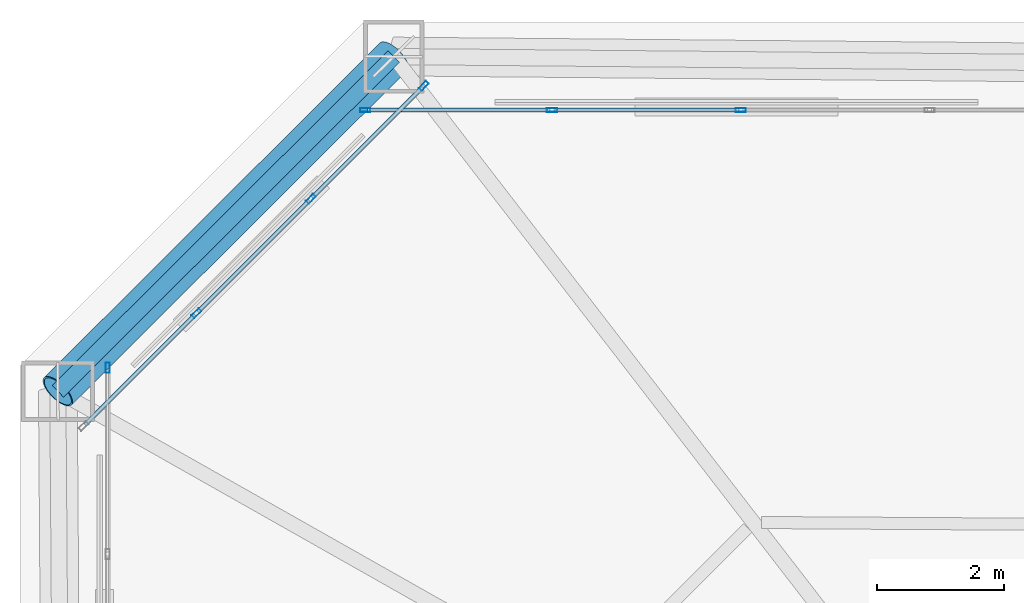
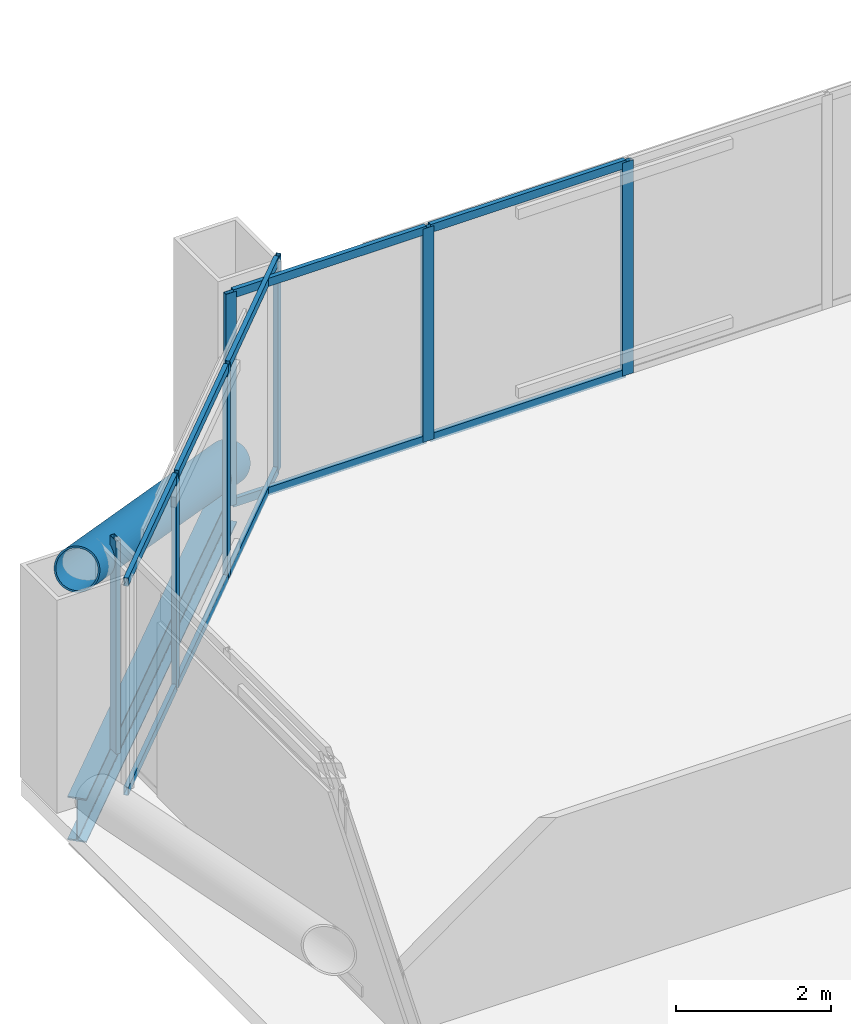
# One storey, part 32 of 50: 18 members, 1 beam, 3 elements without a shape of their own.
"""IFC4 building model written with IfcOpenShell, lengths in metres."""

from ifc_helpers import new_model, si_unit, direction, frame, origin, origin_2d, place, context, subcontext, project, spatial, hollow_rectangle, hollow_circle, i_section, extrude, material, layer, layer_set, material_profile, profile_set, type_object, element, aggregate, save


model = new_model("IFC4")

# Units and contexts
model_context = context("Model", 3, precision=1e-05, world=origin(), true_north=direction((0.0, 1.0)))
body_context = subcontext(model_context, "Body", "Model", "MODEL_VIEW")
ifc_project = project(units=[si_unit("LENGTHUNIT", "METRE"), si_unit("AREAUNIT", "SQUARE_METRE"), si_unit("VOLUMEUNIT", "CUBIC_METRE"), si_unit("PLANEANGLEUNIT", "RADIAN"), si_unit("MASSUNIT", "GRAM", prefix="KILO")], contexts=[model_context])

# Site, building, storey
site_placement = place(None, origin())
site = spatial("IfcSite", under=ifc_project, at=site_placement, CompositionType="ELEMENT")
building_placement = place(site_placement, origin())
building = spatial("IfcBuilding", under=site, at=building_placement, Name="Caelvoria Tower", CompositionType="ELEMENT")
storey_placement = place(building_placement, frame((0.0, 0.0, 71.199951171875)))
storey = spatial("IfcBuildingStorey", under=building, at=storey_placement, Name="L18", CompositionType="ELEMENT", Elevation=71.199951171875)

# Curtain wall, members
ifc_material_1 = material(Name="Anodised Bronze Aluminium and Low-E Glass", Category="aluminium")
ifc_layer = layer(ifc_material_1, 0.18505859375, Name="Anodised Bronze Aluminium and Low-E Glass")
ifc_layer_set = layer_set([ifc_layer], Name="CW System 2 Lower Tower Bronze Unitised Facade - Anodised Bronze Aluminium and Low-E Glass")
curtain_wall_type = type_object("IfcCurtainWallType", Name="CW System 2 Lower Tower Bronze Unitised Facade", PredefinedType="NOTDEFINED", material=ifc_layer_set)
curtain_wall_1_placement = place(storey_placement, origin())
curtain_wall_1 = element("IfcCurtainWall", 1, at=curtain_wall_1_placement, inside=storey, type_object=curtain_wall_type, Name="CW-02 Curtain Wall L18-E4", PredefinedType="NOTDEFINED")
ifc_material_2 = material(Name="Anodised Bronze Architectural Aluminium", Category="aluminium")
ifc_material_profile_1 = material_profile(ifc_material_2, hollow_rectangle(XDim=0.06494140625, YDim=0.159912109375, WallThickness=0.00390625, at=origin_2d()), Name="Anodised Bronze Architectural Aluminium")
ifc_profile_set_1 = profile_set([ifc_material_profile_1], Name="CW_MULL_65X160 - Anodised Bronze Architectural Aluminium")
member_type_1 = type_object("IfcMemberType", Name="Curtain Wall Mullion 65x160 Bronze Aluminium", PredefinedType="MULLION", material=ifc_profile_set_1)
member_1_placement = place(storey_placement, frame((31.142822265625, 53.820068359375, 0.0), z_axis=(0.0, 0.0, 1.0), x_axis=(0.0, -1.0, 0.0)))
member_1 = element("IfcMember", 2, at=member_1_placement, type_object=member_type_1, Name="CW-02 mullion 13", PredefinedType="MULLION", context=body_context, shape_type="SweptSolid", body=[
    extrude(hollow_rectangle(XDim=0.06494140625, YDim=0.159912109375, WallThickness=0.00390625, at=origin_2d()), origin(), (0.0, 0.0, 1.0), 3.360107421875),
])
member_2_placement = place(storey_placement, frame((28.17138671875, 53.820068359375, 0.0), z_axis=(0.0, 0.0, 1.0), x_axis=(0.0, -1.0, 0.0)))
member_2 = element("IfcMember", 3, at=member_2_placement, type_object=member_type_1, Name="CW-02 mullion 14", PredefinedType="MULLION", context=body_context, shape_type="SweptSolid", body=[
    extrude(hollow_rectangle(XDim=0.06494140625, YDim=0.159912109375, WallThickness=0.00390625, at=origin_2d()), origin(), (0.0, 0.0, 1.0), 3.360107421875),
])
member_3_placement = place(storey_placement, frame((25.232421875, 53.820068359375, 0.0), z_axis=(0.0, 0.0, 1.0), x_axis=(0.0, -1.0, 0.0)))
member_3 = element("IfcMember", 4, at=member_3_placement, type_object=member_type_1, Name="CW-02 mullion 15", PredefinedType="MULLION", context=body_context, shape_type="SweptSolid", body=[
    extrude(hollow_rectangle(XDim=0.06494140625, YDim=0.159912109375, WallThickness=0.00390625, at=origin_2d()), origin(), (0.0, 0.0, 1.0), 3.360107421875),
])

curtain_wall_2_placement = place(storey_placement, origin())
curtain_wall_2 = element("IfcCurtainWall", 5, at=curtain_wall_2_placement, inside=storey, type_object=curtain_wall_type, Name="CW-02 Curtain Wall L18-E5", PredefinedType="NOTDEFINED")
member_4_placement = place(storey_placement, frame((26.15283203125, 54.201171875, 0.0), z_axis=(0.0, 0.0, 1.0), x_axis=(0.707106781187, -0.707106781187, 0.0)))
member_4 = element("IfcMember", 6, at=member_4_placement, type_object=member_type_1, Name="CW-02 mullion 1", PredefinedType="MULLION", context=body_context, shape_type="SweptSolid", body=[
    extrude(hollow_rectangle(XDim=0.06494140625, YDim=0.159912109375, WallThickness=0.00390625, at=origin_2d()), origin(), (0.0, 0.0, 1.0), 3.360107421875),
])
member_5_placement = place(storey_placement, frame((24.375732421875, 52.42431640625, 0.0), z_axis=(0.0, 0.0, 1.0), x_axis=(0.707106781187, -0.707106781187, 0.0)))
member_5 = element("IfcMember", 7, at=member_5_placement, type_object=member_type_1, Name="CW-02 mullion 2", PredefinedType="MULLION", context=body_context, shape_type="SweptSolid", body=[
    extrude(hollow_rectangle(XDim=0.06494140625, YDim=0.159912109375, WallThickness=0.00390625, at=origin_2d()), origin(), (0.0, 0.0, 1.0), 3.360107421875),
])
member_6_placement = place(storey_placement, frame((22.57568359375, 50.624267578125, 0.0), z_axis=(0.0, 0.0, 1.0), x_axis=(0.707106781187, -0.707106781187, 0.0)))
member_6 = element("IfcMember", 8, at=member_6_placement, type_object=member_type_1, Name="CW-02 mullion 3", PredefinedType="MULLION", context=body_context, shape_type="SweptSolid", body=[
    extrude(hollow_rectangle(XDim=0.06494140625, YDim=0.159912109375, WallThickness=0.00390625, at=origin_2d()), origin(), (0.0, 0.0, 1.0), 3.360107421875),
])

# Curtain wall, member
curtain_wall_3_placement = place(storey_placement, origin())
curtain_wall_3 = element("IfcCurtainWall", 9, at=curtain_wall_3_placement, inside=storey, type_object=curtain_wall_type, Name="CW-02 Curtain Wall L18-E6", PredefinedType="NOTDEFINED")
member_7_placement = place(storey_placement, frame((21.179931640625, 49.767578125, 0.0), z_axis=(0.0, 0.0, 1.0), x_axis=(1.0, 0.0, 0.0)))
member_7 = element("IfcMember", 10, at=member_7_placement, type_object=member_type_1, Name="CW-02 mullion 1", PredefinedType="MULLION", context=body_context, shape_type="SweptSolid", body=[
    extrude(hollow_rectangle(XDim=0.06494140625, YDim=0.159912109375, WallThickness=0.00390625, at=origin_2d()), origin(), (0.0, 0.0, 1.0), 3.360107421875),
])
aggregate(curtain_wall_3, [member_7])

# Member
ifc_material_profile_2 = material_profile(ifc_material_2, hollow_rectangle(XDim=0.06494140625, YDim=0.1298828125, WallThickness=0.00341796875, at=origin_2d()), Name="Anodised Bronze Architectural Aluminium")
ifc_profile_set_2 = profile_set([ifc_material_profile_2], Name="CW_TRAN_65X130 - Anodised Bronze Architectural Aluminium")
member_type_2 = type_object("IfcMemberType", Name="Curtain Wall Transom 65x130 Bronze Aluminium", PredefinedType="USERDEFINED", material=ifc_profile_set_2)
member_8_placement = place(storey_placement, frame((31.1103515625, 53.820068359375, 0.032470703125), z_axis=(-1.0, 0.0, 0.0), x_axis=(0.0, -1.0, 0.0)))
member_8 = element("IfcMember", 11, at=member_8_placement, type_object=member_type_2, Name="CW-02 transom 13.1", ObjectType="TRANSOM", PredefinedType="USERDEFINED", context=body_context, shape_type="SweptSolid", body=[
    extrude(hollow_rectangle(XDim=0.06494140625, YDim=0.1298828125, WallThickness=0.00341796875, at=origin_2d()), origin(), (0.0, 0.0, 1.0), 2.906494140625),
])

member_9_placement = place(storey_placement, frame((31.1103515625, 53.820068359375, 3.32763671875), z_axis=(-1.0, 0.0, 0.0), x_axis=(0.0, -1.0, 0.0)))
member_9 = element("IfcMember", 12, at=member_9_placement, type_object=member_type_2, Name="CW-02 transom 13.2", ObjectType="TRANSOM", PredefinedType="USERDEFINED", context=body_context, shape_type="SweptSolid", body=[
    extrude(hollow_rectangle(XDim=0.06494140625, YDim=0.1298828125, WallThickness=0.00341796875, at=origin_2d()), origin(), (0.0, 0.0, 1.0), 2.906494140625),
])

member_10_placement = place(storey_placement, frame((28.138916015625, 53.820068359375, 0.032470703125), z_axis=(-1.0, 0.0, 0.0), x_axis=(0.0, -1.0, 0.0)))
member_10 = element("IfcMember", 13, at=member_10_placement, type_object=member_type_2, Name="CW-02 transom 14.1", ObjectType="TRANSOM", PredefinedType="USERDEFINED", context=body_context, shape_type="SweptSolid", body=[
    extrude(hollow_rectangle(XDim=0.06494140625, YDim=0.1298828125, WallThickness=0.00341796875, at=origin_2d()), origin(), (0.0, 0.0, 1.0), 2.8740234375),
])

member_11_placement = place(storey_placement, frame((28.138916015625, 53.820068359375, 3.32763671875), z_axis=(-1.0, 0.0, 0.0), x_axis=(0.0, -1.0, 0.0)))
member_11 = element("IfcMember", 14, at=member_11_placement, type_object=member_type_2, Name="CW-02 transom 14.2", ObjectType="TRANSOM", PredefinedType="USERDEFINED", context=body_context, shape_type="SweptSolid", body=[
    extrude(hollow_rectangle(XDim=0.06494140625, YDim=0.1298828125, WallThickness=0.00341796875, at=origin_2d()), origin(), (0.0, 0.0, 1.0), 2.8740234375),
])

aggregate(curtain_wall_1, [member_1, member_2, member_3, member_8, member_9, member_10, member_11])

member_12_placement = place(storey_placement, frame((26.1298828125, 54.17822265625, 0.032470703125), z_axis=(-0.707156642399, -0.707056916458, 0.0), x_axis=(0.707056916458, -0.707156642399, 0.0)))
member_12 = element("IfcMember", 15, at=member_12_placement, type_object=member_type_2, Name="CW-02 transom 1.1", ObjectType="TRANSOM", PredefinedType="USERDEFINED", context=body_context, shape_type="SweptSolid", body=[
    extrude(hollow_rectangle(XDim=0.06494140625, YDim=0.1298828125, WallThickness=0.00341796875, at=origin_2d()), origin(), (0.0, 0.0, 1.0), 2.447998046875),
])

member_13_placement = place(storey_placement, frame((26.1298828125, 54.17822265625, 3.32763671875), z_axis=(-0.707156642399, -0.707056916458, 0.0), x_axis=(0.707056916458, -0.707156642399, 0.0)))
member_13 = element("IfcMember", 16, at=member_13_placement, type_object=member_type_2, Name="CW-02 transom 1.2", ObjectType="TRANSOM", PredefinedType="USERDEFINED", context=body_context, shape_type="SweptSolid", body=[
    extrude(hollow_rectangle(XDim=0.06494140625, YDim=0.1298828125, WallThickness=0.00341796875, at=origin_2d()), origin(), (0.0, 0.0, 1.0), 2.447998046875),
])

member_14_placement = place(storey_placement, frame((24.352783203125, 52.401123046875, 0.032470703125), z_axis=(-0.707106781187, -0.707106781187, 0.0), x_axis=(0.707106781187, -0.707106781187, 0.0)))
member_14 = element("IfcMember", 17, at=member_14_placement, type_object=member_type_2, Name="CW-02 transom 2.1", ObjectType="TRANSOM", PredefinedType="USERDEFINED", context=body_context, shape_type="SweptSolid", body=[
    extrude(hollow_rectangle(XDim=0.06494140625, YDim=0.1298828125, WallThickness=0.00341796875, at=origin_2d()), origin(), (0.0, 0.0, 1.0), 2.48046875),
])

member_15_placement = place(storey_placement, frame((24.352783203125, 52.401123046875, 3.32763671875), z_axis=(-0.707106781187, -0.707106781187, 0.0), x_axis=(0.707106781187, -0.707106781187, 0.0)))
member_15 = element("IfcMember", 18, at=member_15_placement, type_object=member_type_2, Name="CW-02 transom 2.2", ObjectType="TRANSOM", PredefinedType="USERDEFINED", context=body_context, shape_type="SweptSolid", body=[
    extrude(hollow_rectangle(XDim=0.06494140625, YDim=0.1298828125, WallThickness=0.00341796875, at=origin_2d()), origin(), (0.0, 0.0, 1.0), 2.48046875),
])

member_16_placement = place(storey_placement, frame((22.552734375, 50.601318359375, 0.032470703125), z_axis=(-0.707056916458, -0.707156642399, 0.0), x_axis=(0.707156642399, -0.707056916458, 0.0)))
member_16 = element("IfcMember", 19, at=member_16_placement, type_object=member_type_2, Name="CW-02 transom 3.1", ObjectType="TRANSOM", PredefinedType="USERDEFINED", context=body_context, shape_type="SweptSolid", body=[
    extrude(hollow_rectangle(XDim=0.06494140625, YDim=0.1298828125, WallThickness=0.00341796875, at=origin_2d()), origin(), (0.0, 0.0, 1.0), 2.447998046875),
])

member_17_placement = place(storey_placement, frame((22.552734375, 50.601318359375, 3.32763671875), z_axis=(-0.707056916458, -0.707156642399, 0.0), x_axis=(0.707156642399, -0.707056916458, 0.0)))
member_17 = element("IfcMember", 20, at=member_17_placement, type_object=member_type_2, Name="CW-02 transom 3.2", ObjectType="TRANSOM", PredefinedType="USERDEFINED", context=body_context, shape_type="SweptSolid", body=[
    extrude(hollow_rectangle(XDim=0.06494140625, YDim=0.1298828125, WallThickness=0.00341796875, at=origin_2d()), origin(), (0.0, 0.0, 1.0), 2.447998046875),
])

aggregate(curtain_wall_2, [member_4, member_5, member_6, member_12, member_13, member_14, member_15, member_16, member_17])

ifc_material_3 = material(Name="Structural Steel ASTM A572 Gr.50", Category="steel")
ifc_material_profile_3 = material_profile(ifc_material_3, hollow_circle(Radius=0.304931640625, WallThickness=0.02490234375, at=origin_2d()), Name="Structural Steel ASTM A572 Gr.50")
ifc_profile_set_3 = profile_set([ifc_material_profile_3], Name="CHS610X25 - Structural Steel ASTM A572 Gr.50")
member_type_3 = type_object("IfcMemberType", Name="Lower Perimeter Mega Brace CHS610X25", PredefinedType="BRACE", material=ifc_profile_set_3)
member_18_placement = place(storey_placement, frame((25.6806640625, 54.663818359375, 0.0), z_axis=(-0.645789216717, -0.643730853082, 0.410568966633), x_axis=(0.70597718057, -0.708234580146, 0.0)))
element("IfcMember", 21, at=member_18_placement, inside=storey, type_object=member_type_3, Name="Perimeter Chamfer Mega Brace L18 NW", PredefinedType="BRACE", context=body_context, shape_type="SweptSolid", body=[
    extrude(hollow_circle(Radius=0.304931640625, WallThickness=0.02490234375, at=origin_2d()), origin(), (0.0, 0.0, 1.0), 8.18408203125),
])

# Beam
ifc_material_4 = material(Name="Structural Steel ASTM A992 Gr.50", Category="steel")
ifc_material_profile_4 = material_profile(ifc_material_4, i_section(OverallWidth=0.25390625, OverallDepth=0.68798828125, WebThickness=0.01318359375, FlangeThickness=0.02099609375, FilletRadius=0.01904296875, at=origin_2d()), Name="Structural Steel ASTM A992 Gr.50")
ifc_profile_set_4 = profile_set([ifc_material_profile_4], Name="W690X152 - Structural Steel ASTM A992 Gr.50")
beam_type = type_object("IfcBeamType", Name="Perimeter Spandrel Girder W690X152", PredefinedType="BEAM", material=ifc_profile_set_4)
beam_placement = place(storey_placement, frame((25.6806640625, 54.663818359375, -0.583984375), z_axis=(-0.708234580146, -0.70597718057, 0.0), x_axis=(0.70597718057, -0.708234580146, 0.0)))
element("IfcBeam", 22, at=beam_placement, inside=storey, type_object=beam_type, Name="Perimeter Spandrel Girder L18-08", PredefinedType="BEAM", context=body_context, shape_type="SweptSolid", body=[
    extrude(i_section(OverallWidth=0.25390625, OverallDepth=0.68798828125, WebThickness=0.01318359375, FlangeThickness=0.02099609375, FilletRadius=0.01904296875, at=origin_2d()), origin(), (0.0, 0.0, 1.0), 7.46240234375),
])

save(model, "model.ifc")
